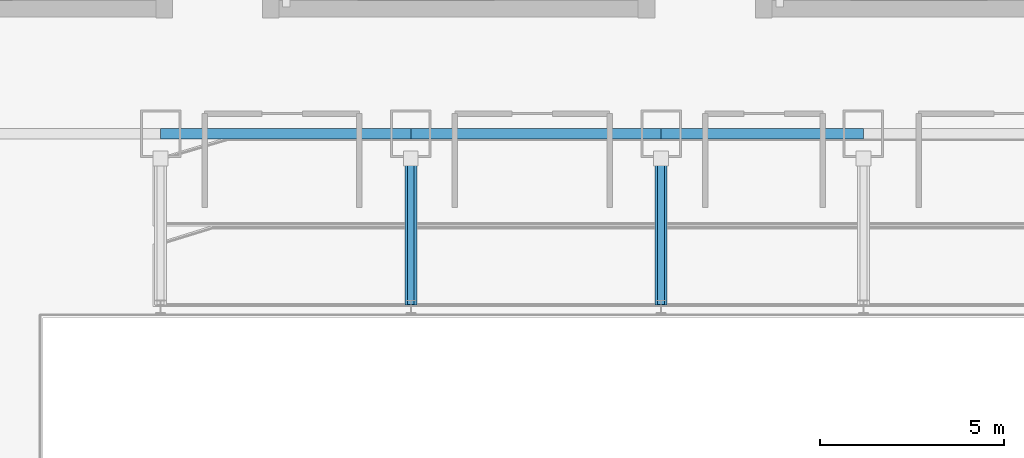
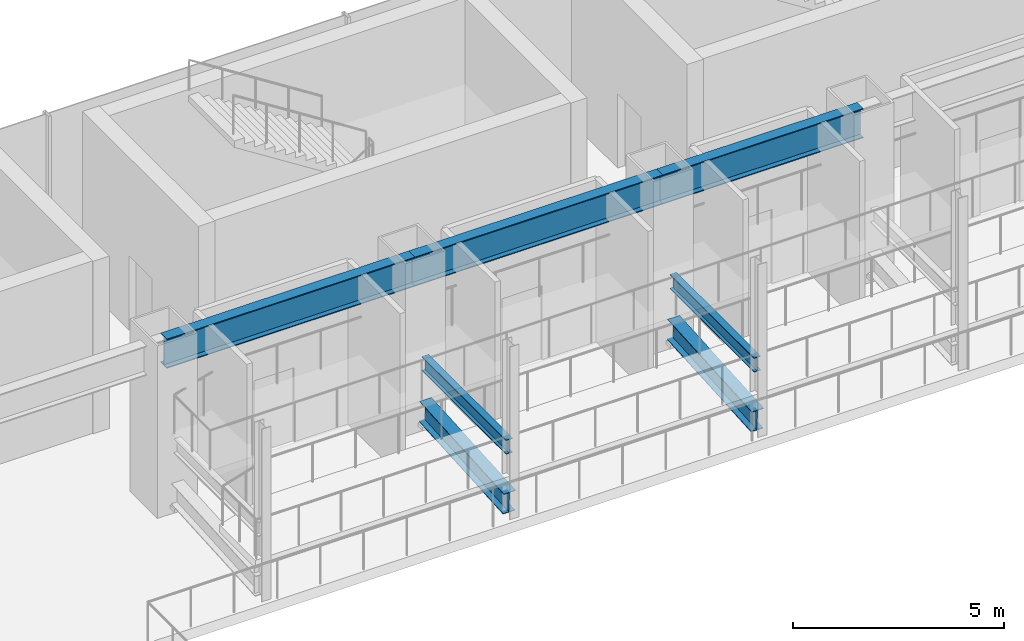
# One storey, part 13 of 40: 7 beams.
"""IFC4 building model written with IfcOpenShell, lengths in metres."""

from ifc_helpers import new_model, si_unit, derived_unit, direction, frame, origin, origin_2d, place, context, subcontext, project, spatial, i_section, extrude, source, transform, mapped, material, material_profile, profile_set, type_object, element, save


model = new_model("IFC4")

# Units and contexts
model_context = context("Model", 3, precision=1e-05, world=origin(), true_north=direction((0.0, 1.0)))
body_context = subcontext(model_context, "Body", "Model", "MODEL_VIEW")
ifc_project = project(units=[si_unit("LENGTHUNIT", "METRE"), si_unit("AREAUNIT", "SQUARE_METRE"), si_unit("VOLUMEUNIT", "CUBIC_METRE"), si_unit("PLANEANGLEUNIT", "RADIAN"), si_unit("MASSUNIT", "GRAM", prefix="KILO"), derived_unit("THERMALTRANSMITTANCEUNIT", [(si_unit("POWERUNIT", "WATT"), 1), (si_unit("LENGTHUNIT", "METRE"), -2), (si_unit("THERMODYNAMICTEMPERATUREUNIT", "KELVIN"), -1)])], contexts=[model_context])

# Site, building, storey
site_placement = place(None, origin())
site = spatial("IfcSite", under=ifc_project, at=site_placement, CompositionType="ELEMENT")
building_placement = place(site_placement, origin())
building = spatial("IfcBuilding", under=site, at=building_placement, Name="Skarnbrae Concourse Arena and Tower", CompositionType="ELEMENT")
storey_placement = place(building_placement, frame((0.0, 0.0, 6.0)))
storey = spatial("IfcBuildingStorey", under=building, at=storey_placement, Name="L01", CompositionType="ELEMENT", Elevation=6.0)

# Beams
ifc_material = material(Name="Steel CSA G40.21 350W", Category="steel")
ifc_material_profile_1 = material_profile(ifc_material, i_section(OverallWidth=0.2939453125, OverallDepth=0.85107421875, WebThickness=0.01611328125, FlangeThickness=0.02685546875, at=origin_2d()), Name="W840X226")
ifc_profile_set_1 = profile_set([ifc_material_profile_1], Name="Steel CSA G40.21 350W")
beam_type_1 = type_object("IfcBeamType", Name="BM-GIRD-W840X226", PredefinedType="BEAM", material=ifc_profile_set_1)
shared_shape_1 = source(origin(), body_context, "Body", "SweptSolid", [
    extrude(i_section(OverallWidth=0.2939453125, OverallDepth=0.85107421875, WebThickness=0.01611328125, FlangeThickness=0.02685546875, at=origin_2d()), origin(), (0.0, 0.0, 1.0), 6.800048828125),
])
for number, where, z_axis, x_axis, name in (
    (1, (14.39990234375, 47.0, 4.2744140625), (1.0, 0.0, 0.0), (0.0, 1.0, 0.0), "L01 Podium north girder 3"),
    (2, (21.199951171875, 47.0, 4.2744140625), (1.0, 0.0, 0.0), (0.0, 1.0, 0.0), "L01 Podium north girder 4"),
):
    element("IfcBeam", number, at=place(storey_placement, frame(where, z_axis=z_axis, x_axis=x_axis)), inside=storey, type_object=beam_type_1, Name=name, PredefinedType="BEAM", context=body_context, shape_type="MappedRepresentation", body=[
        mapped(shared_shape_1, transform((0.0, 0.0, 0.0))),
    ])
shared_shape_2 = source(origin(), body_context, "Body", "SweptSolid", [
    extrude(i_section(OverallWidth=0.2939453125, OverallDepth=0.85107421875, WebThickness=0.01611328125, FlangeThickness=0.02685546875, at=origin_2d()), origin(), (0.0, 0.0, 1.0), 5.5),
])
beam_placement = place(storey_placement, frame((28.0, 47.0, 4.2744140625), z_axis=(1.0, 0.0, 0.0), x_axis=(0.0, 1.0, 0.0)))
element("IfcBeam", 3, at=beam_placement, inside=storey, type_object=beam_type_1, Name="L01 Podium north girder 5", PredefinedType="BEAM", context=body_context, shape_type="MappedRepresentation", body=[
    mapped(shared_shape_2, transform((0.0, 0.0, 0.0))),
])
ifc_material_profile_2 = material_profile(ifc_material, i_section(OverallWidth=0.180908203125, OverallDepth=0.4169921875, WebThickness=0.010986328125, FlangeThickness=0.018310546875, at=origin_2d()), Name="W410X85")
ifc_profile_set_2 = profile_set([ifc_material_profile_2], Name="Steel CSA G40.21 350W")
beam_type_2 = type_object("IfcBeamType", Name="BM-JOIST-W410X85", PredefinedType="JOIST", material=ifc_profile_set_2)
shared_shape_3 = source(origin(), body_context, "Body", "SweptSolid", [
    extrude(i_section(OverallWidth=0.180908203125, OverallDepth=0.4169921875, WebThickness=0.010986328125, FlangeThickness=0.018310546875, at=origin_2d()), origin(), (0.0, 0.0, 1.0), 4.0),
])
for number, where, z_axis, x_axis, name in (
    (4, (21.199951171875, 42.360107421875, 1.94140625), (0.0, 1.0, 0.0), (-1.0, 0.0, 0.0), "L01 Arena upper seating tier cradle beam N02"),
    (5, (28.0, 42.360107421875, 1.94140625), (0.0, 1.0, 0.0), (-1.0, 0.0, 0.0), "L01 Arena upper seating tier cradle beam N03"),
):
    element("IfcBeam", number, at=place(storey_placement, frame(where, z_axis=z_axis, x_axis=x_axis)), inside=storey, type_object=beam_type_2, Name=name, PredefinedType="JOIST", context=body_context, shape_type="MappedRepresentation", body=[
        mapped(shared_shape_3, transform((0.0, 0.0, 0.0))),
    ])
ifc_material_profile_3 = material_profile(ifc_material, i_section(OverallWidth=0.323974609375, OverallDepth=0.611083984375, WebThickness=0.0126953125, FlangeThickness=0.01904296875, at=origin_2d()), Name="W610X155")
ifc_profile_set_3 = profile_set([ifc_material_profile_3], Name="Steel CSA G40.21 350W")
beam_type_3 = type_object("IfcBeamType", Name="BM-RAKER-W610X155", PredefinedType="USERDEFINED", material=ifc_profile_set_3)
shared_shape_4 = source(origin(), body_context, "Body", "SweptSolid", [
    extrude(i_section(OverallWidth=0.323974609375, OverallDepth=0.611083984375, WebThickness=0.0126953125, FlangeThickness=0.01904296875, at=origin_2d()), origin(), (0.0, 0.0, 1.0), 4.008544921875),
])
for number, where, z_axis, x_axis, name in (
    (6, (21.199951171875, 42.360107421875, 0.320068359375), (0.0, 0.997894012809, 0.064865547097), (-1.0, 0.0, 0.0), "L01 Arena bowl sloped raker beam RB-N02"),
    (7, (28.0, 42.360107421875, 0.320068359375), (0.0, 0.997894012809, 0.064865547097), (-1.0, 0.0, 0.0), "L01 Arena bowl sloped raker beam RB-N03"),
):
    element("IfcBeam", number, at=place(storey_placement, frame(where, z_axis=z_axis, x_axis=x_axis)), inside=storey, type_object=beam_type_3, Name=name, ObjectType="RAKER", PredefinedType="USERDEFINED", context=body_context, shape_type="MappedRepresentation", body=[
        mapped(shared_shape_4, transform((0.0, 0.0, 0.0))),
    ])

save(model, "model.ifc")
